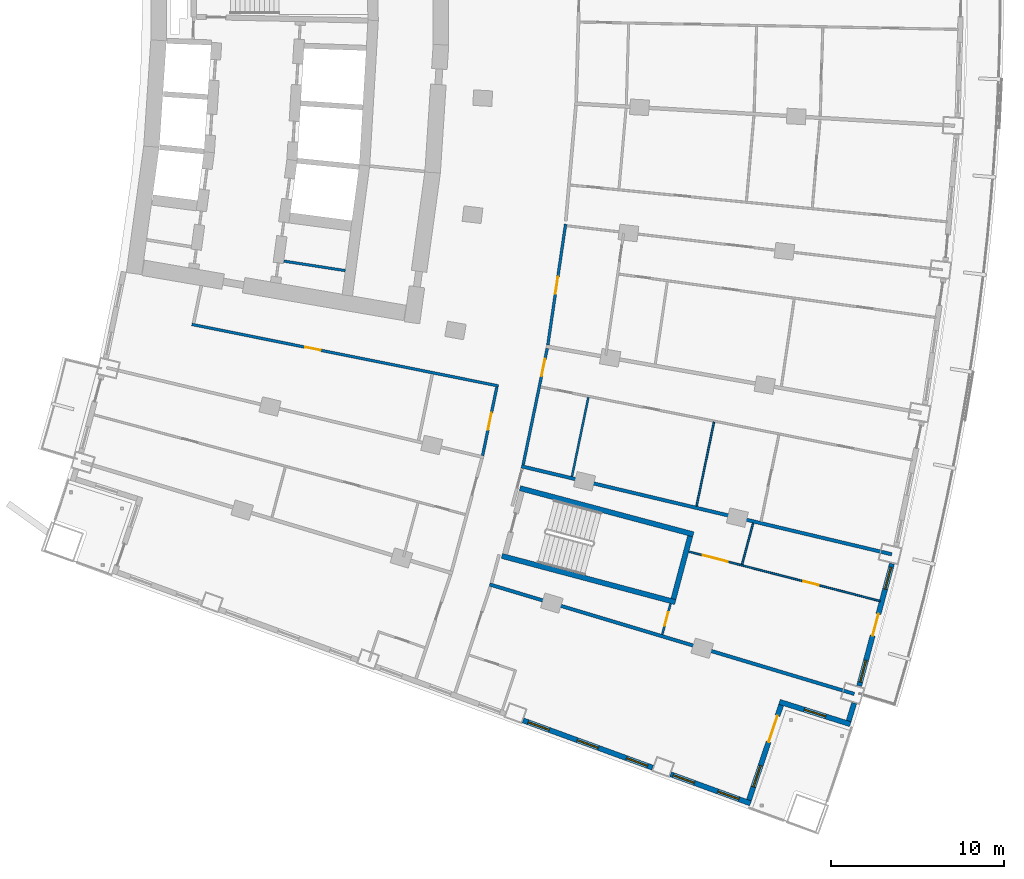
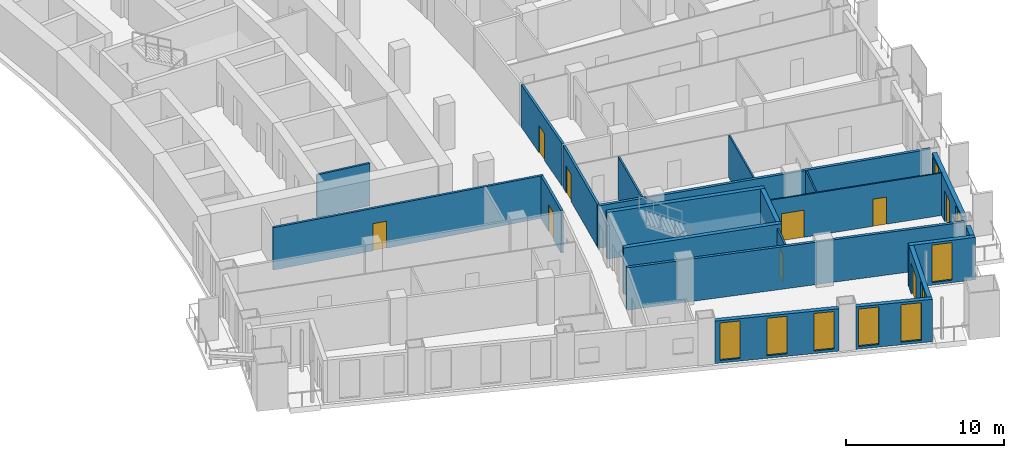
# One storey, part 14 of 25: 21 walls, 9 doors, 9 windows, 18 openings.
"""IFC4 building model written with IfcOpenShell, lengths in metres."""

from ifc_helpers import new_model, si_unit, direction, frame, frame_2d, origin, place, context, subcontext, project, spatial, rectangle, extrude, material, layer, layer_set, type_object, element, fill, save


model = new_model("IFC4")

# Units and contexts
model_context = context("Model", 3, precision=1e-05, world=origin(), true_north=direction((0.0, 1.0)))
body_context = subcontext(model_context, "Body", "Model", "MODEL_VIEW")
ifc_project = project(units=[si_unit("LENGTHUNIT", "METRE"), si_unit("AREAUNIT", "SQUARE_METRE"), si_unit("VOLUMEUNIT", "CUBIC_METRE"), si_unit("PLANEANGLEUNIT", "RADIAN"), si_unit("MASSUNIT", "GRAM", prefix="KILO")], contexts=[model_context])

# Site, building, storey
site_placement = place(None, origin())
site = spatial("IfcSite", under=ifc_project, at=site_placement, CompositionType="ELEMENT")
building_placement = place(site_placement, origin())
building = spatial("IfcBuilding", under=site, at=building_placement, Name="Alderwake Tower", CompositionType="ELEMENT")
storey_placement = place(building_placement, frame((0.0, 0.0, 46.39990234375)))
storey = spatial("IfcBuildingStorey", under=building, at=storey_placement, Name="L10", CompositionType="ELEMENT", Elevation=46.39990234375)

# Walls
ifc_material_1 = material(Name="Gypsum shaft wall system, rated")
ifc_layer_1 = layer(ifc_material_1, 0.14990234375)
ifc_layer_set_1 = layer_set([ifc_layer_1], Name="Core room partition 150")
wall_type_1 = type_object("IfcWallType", Name="Core room partition 150", PredefinedType="PARTITIONING", material=ifc_layer_set_1)
wall_1_placement = place(storey_placement, frame((24.117431640625, 44.842041015625, 0.0), z_axis=(0.0, 0.0, 1.0), x_axis=(0.988173903359, -0.153337329832, 0.0)))
element("IfcWall", 1, at=wall_1_placement, inside=storey, type_object=wall_type_1, Name="CW/L10/PR-161_+86", PredefinedType="PARTITIONING", context=body_context, shape_type="SweptSolid", body=[
    extrude(rectangle(XDim=3.5966796875, YDim=0.14990234375, at=frame_2d((1.79833984375, 0.0))), origin(), (0.0, 0.0, 1.0), 3.280029296875),
])
ifc_material_2 = material(Name="Concrete C70/85", Category="concrete")
ifc_layer_2 = layer(ifc_material_2, 0.300048828125)
ifc_layer_set_2 = layer_set([ifc_layer_2], Name="Core wall stair enclosure 300 C70-85")
wall_type_2 = type_object("IfcWallType", Name="Core wall stair enclosure 300 C70-85", PredefinedType="SHEAR", material=ifc_layer_set_2)
for number, where, z_axis, x_axis, name in (
    (2, (37.75390625, 31.731201171875, 0.0), (0.0, 0.0, 1.0), (0.966309214305, -0.257383958996, 0.0), "Core wall CW.086"),
    (3, (36.71142578125, 27.817626953125, 0.0), (0.0, 0.0, 1.0), (0.966309214305, -0.257383958996, 0.0), "Core wall CW.088"),
):
    element("IfcWall", number, at=place(storey_placement, frame(where, z_axis=z_axis, x_axis=x_axis)), inside=storey, type_object=wall_type_2, Name=name, PredefinedType="SHEAR", context=body_context, shape_type="SweptSolid", body=[
        extrude(rectangle(XDim=10.360107421875, YDim=0.300048828125, at=frame_2d((5.18017578125, 0.0))), origin(), (0.0, 0.0, 1.0), 3.60009765625),
    ])
wall_2_placement = place(storey_placement, frame((46.6162109375, 25.334716796875, 0.0), z_axis=(0.0, 0.0, 1.0), x_axis=(0.257366821694, 0.966313778796, 0.0)))
element("IfcWall", 4, at=wall_2_placement, inside=storey, type_object=wall_type_2, Name="Core wall CW.085", PredefinedType="SHEAR", context=body_context, shape_type="SweptSolid", body=[
    extrude(rectangle(XDim=3.749755859375, YDim=0.300048828125, at=frame_2d((1.875, 0.0))), origin(), (0.0, 0.0, 1.0), 3.60009765625),
])

# Wall, opening, door
ifc_material_3 = material(Name="Gypsum board on metal studs, rated")
ifc_layer_3 = layer(ifc_material_3, 0.159912109375)
ifc_layer_set_3 = layer_set([ifc_layer_3], Name="Corridor wall 160")
wall_type_3 = type_object("IfcWallType", Name="Corridor wall 160", PredefinedType="PARTITIONING", material=ifc_layer_set_3)
wall_3_placement = place(storey_placement, frame((36.513427734375, 37.63427734375, 0.0), z_axis=(0.0, 0.0, 1.0), x_axis=(-0.980470254867, 0.1966674333, 0.0)))
wall_3 = element("IfcWall", 5, at=wall_3_placement, inside=storey, type_object=wall_type_3, Name="WL/L10/W15", PredefinedType="PARTITIONING", context=body_context, shape_type="SweptSolid", body=[
    extrude(rectangle(XDim=18.053466796875, YDim=0.159912109375, at=frame_2d((9.02685546875, 0.0))), origin(), (0.0, 0.0, 1.0), 3.280029296875),
])
opening_1_placement = place(wall_3_placement, frame((10.476806640625, 0.0, 0.0)))
opening_1 = element("IfcOpeningElement", 6, at=opening_1_placement, cuts=wall_3, Name="Opening R02-SBS1", PredefinedType="OPENING", context=body_context, shape_type="SweptSolid", body=[
    extrude(rectangle(XDim=0.89990234375, YDim=2.10009765625, at=frame_2d((0.449951171875, 1.050048828125))), frame((0.0, 0.08984375, 0.0), z_axis=(0.0, -1.0, 0.0), x_axis=(1.0, 0.0, 0.0)), (0.0, 0.0, 1.0), 0.179931640625),
])
ifc_material_4 = material(Name="Painted timber leaf", Category="wood")
door_type_1 = type_object("IfcDoorType", Name="Room door 900", OperationType="SINGLE_SWING_LEFT", PredefinedType="DOOR", material=ifc_material_4)
door_1_placement = place(opening_1_placement, origin())
door_1 = element("IfcDoor", 7, at=door_1_placement, inside=storey, type_object=door_type_1, Name="DR/L10/SBS1", OperationType="SINGLE_SWING_LEFT", OverallHeight=2.10009765625, OverallWidth=0.89990234375, PredefinedType="DOOR", context=body_context, shape_type="SweptSolid", body=[
    extrude(rectangle(XDim=0.89990234375, YDim=2.10009765625, at=frame_2d((0.449951171875, 1.050048828125))), frame((0.0, 0.02490234375, 0.0), z_axis=(0.0, -1.0, 0.0), x_axis=(1.0, 0.0, 0.0)), (0.0, 0.0, 1.0), 0.050048828125),
])
fill(opening_1, door_1)

wall_4_placement = place(storey_placement, frame((35.59619140625, 33.609375, 0.0), z_axis=(0.0, 0.0, 1.0), x_axis=(0.203245920818, 0.979127721838, 0.0)))
wall_4 = element("IfcWall", 8, at=wall_4_placement, inside=storey, type_object=wall_type_3, Name="WL/L10/W27", PredefinedType="PARTITIONING", context=body_context, shape_type="SweptSolid", body=[
    extrude(rectangle(XDim=4.046875, YDim=0.159912109375, at=frame_2d((2.0234375, 0.0))), origin(), (0.0, 0.0, 1.0), 3.280029296875),
])
opening_2_placement = place(wall_4_placement, frame((1.5234375, 0.0, 0.0)))
opening_2 = element("IfcOpeningElement", 9, at=opening_2_placement, cuts=wall_4, Name="Opening R02-SBS2", PredefinedType="OPENING", context=body_context, shape_type="SweptSolid", body=[
    extrude(rectangle(XDim=1.0, YDim=2.10009765625, at=frame_2d((0.5, 1.050048828125))), frame((0.0, 0.08984375, 0.0), z_axis=(0.0, -1.0, 0.0), x_axis=(1.0, 0.0, 0.0)), (0.0, 0.0, 1.0), 0.179931640625),
])
ifc_material_5 = material(Name="Steel-framed fire door leaf", Category="steel")
door_type_2 = type_object("IfcDoorType", Name="Plant room door 1000 fire-rated", OperationType="SINGLE_SWING_LEFT", PredefinedType="DOOR", material=ifc_material_5)
door_2_placement = place(opening_2_placement, origin())
door_2 = element("IfcDoor", 10, at=door_2_placement, inside=storey, type_object=door_type_2, Name="DR/L10/SBS2", OperationType="SINGLE_SWING_LEFT", OverallHeight=2.10009765625, OverallWidth=1.0, PredefinedType="DOOR", context=body_context, shape_type="SweptSolid", body=[
    extrude(rectangle(XDim=1.0, YDim=2.10009765625, at=frame_2d((0.5, 1.050048828125))), frame((0.0, 0.02490234375, 0.0), z_axis=(0.0, -1.0, 0.0), x_axis=(1.0, 0.0, 0.0)), (0.0, 0.0, 1.0), 0.050048828125),
])
fill(opening_2, door_2)

wall_5_placement = place(storey_placement, frame((39.32763671875, 39.799072265625, 0.0), z_axis=(0.0, 0.0, 1.0), x_axis=(-0.202463357072, -0.97928983914, 0.0)))
wall_5 = element("IfcWall", 11, at=wall_5_placement, inside=storey, type_object=wall_type_3, Name="WL/L10/W31", PredefinedType="PARTITIONING", context=body_context, shape_type="SweptSolid", body=[
    extrude(rectangle(XDim=6.867431640625, YDim=0.159912109375, at=frame_2d((3.43359375, 0.0))), origin(), (0.0, 0.0, 1.0), 3.280029296875),
])
opening_3_placement = place(wall_5_placement, frame((0.62744140625, 0.0, 0.0)))
opening_3 = element("IfcOpeningElement", 12, at=opening_3_placement, cuts=wall_5, Name="Opening R02-U05.3", PredefinedType="OPENING", context=body_context, shape_type="SweptSolid", body=[
    extrude(rectangle(XDim=1.0, YDim=2.10009765625, at=frame_2d((0.5, 1.050048828125))), frame((0.0, 0.08984375, 0.0), z_axis=(0.0, -1.0, 0.0), x_axis=(1.0, 0.0, 0.0)), (0.0, 0.0, 1.0), 0.179931640625),
])
ifc_material_6 = material(Name="Solid timber leaf in steel frame", Category="steel")
door_type_3 = type_object("IfcDoorType", Name="Flat entrance door 1000 fire-rated", OperationType="SINGLE_SWING_LEFT", PredefinedType="DOOR", material=ifc_material_6)
door_3_placement = place(opening_3_placement, origin())
door_3 = element("IfcDoor", 13, at=door_3_placement, inside=storey, type_object=door_type_3, Name="DR/L10/U05.3", OperationType="SINGLE_SWING_LEFT", OverallHeight=2.10009765625, OverallWidth=1.0, PredefinedType="DOOR", context=body_context, shape_type="SweptSolid", body=[
    extrude(rectangle(XDim=1.0, YDim=2.10009765625, at=frame_2d((0.5, 1.050048828125))), frame((0.0, 0.02490234375, 0.0), z_axis=(0.0, -1.0, 0.0), x_axis=(1.0, 0.0, 0.0)), (0.0, 0.0, 1.0), 0.050048828125),
])
fill(opening_3, door_3)

wall_6_placement = place(storey_placement, frame((40.388671875, 46.97216796875, 0.0), z_axis=(0.0, 0.0, 1.0), x_axis=(-0.145525888156, -0.989354444007, 0.0)))
wall_6 = element("IfcWall", 14, at=wall_6_placement, inside=storey, type_object=wall_type_3, Name="WL/L10/W33", PredefinedType="PARTITIONING", context=body_context, shape_type="SweptSolid", body=[
    extrude(rectangle(XDim=7.051025390625, YDim=0.159912109375, at=frame_2d((3.525390625, 0.0))), origin(), (0.0, 0.0, 1.0), 3.280029296875),
])
opening_4_placement = place(wall_6_placement, frame((3.066162109375, 0.0, 0.0)))
opening_4 = element("IfcOpeningElement", 15, at=opening_4_placement, cuts=wall_6, Name="Opening R02-U06.2", PredefinedType="OPENING", context=body_context, shape_type="SweptSolid", body=[
    extrude(rectangle(XDim=1.0, YDim=2.10009765625, at=frame_2d((0.5, 1.050048828125))), frame((0.0, 0.08984375, 0.0), z_axis=(0.0, -1.0, 0.0), x_axis=(1.0, 0.0, 0.0)), (0.0, 0.0, 1.0), 0.179931640625),
])
door_4_placement = place(opening_4_placement, origin())
door_4 = element("IfcDoor", 16, at=door_4_placement, inside=storey, type_object=door_type_3, Name="DR/L10/U06.2", OperationType="SINGLE_SWING_LEFT", OverallHeight=2.10009765625, OverallWidth=1.0, PredefinedType="DOOR", context=body_context, shape_type="SweptSolid", body=[
    extrude(rectangle(XDim=1.0, YDim=2.10009765625, at=frame_2d((0.5, 1.050048828125))), frame((0.0, 0.02490234375, 0.0), z_axis=(0.0, -1.0, 0.0), x_axis=(1.0, 0.0, 0.0)), (0.0, 0.0, 1.0), 0.050048828125),
])
fill(opening_4, door_4)

# Wall
ifc_material_7 = material(Name="Precast concrete C50/60 spandrel panel", Category="concrete")
ifc_layer_4 = layer(ifc_material_7, 0.300048828125)
ifc_layer_set_4 = layer_set([ifc_layer_4], Name="External wall EW1 Precast concrete C50/60 spandrel")
wall_type_4 = type_object("IfcWallType", Name="External wall EW1 Precast concrete C50/60 spandrel", PredefinedType="SOLIDWALL", material=ifc_layer_set_4)
wall_7_placement = place(storey_placement, frame((56.73193359375, 18.2900390625, 0.0), z_axis=(0.0, 0.0, 1.0), x_axis=(0.294497808849, 0.955652154596, 0.0)))
element("IfcWall", 17, at=wall_7_placement, inside=storey, type_object=wall_type_4, Name="External wall 11", PredefinedType="SOLIDWALL", context=body_context, shape_type="SweptSolid", body=[
    extrude(rectangle(XDim=1.082763671875, YDim=0.300048828125, at=frame_2d((0.54150390625, 0.0))), origin(), (0.0, 0.0, 1.0), 3.280029296875),
])

# Wall, openings, door, windows
wall_8_placement = place(storey_placement, frame((57.336181640625, 20.315185546875, 0.0), z_axis=(0.0, 0.0, 1.0), x_axis=(0.259482096381, 0.965747918278, 0.0)))
wall_8 = element("IfcWall", 18, at=wall_8_placement, inside=storey, type_object=wall_type_4, Name="External wall 12", PredefinedType="SOLIDWALL", context=body_context, shape_type="SweptSolid", body=[
    extrude(rectangle(XDim=7.305908203125, YDim=0.300048828125, at=frame_2d((3.65283203125, 0.0))), origin(), (0.0, 0.0, 1.0), 3.280029296875),
])
opening_5_placement = place(wall_8_placement, frame((0.222900390625, 0.0, 0.199951171875)))
opening_5 = element("IfcOpeningElement", 19, at=opening_5_placement, cuts=wall_8, Name="Opening W1", PredefinedType="OPENING", context=body_context, shape_type="SweptSolid", body=[
    extrude(rectangle(XDim=1.300048828125, YDim=2.89990234375, at=frame_2d((0.64990234375, 1.449951171875))), frame((0.0, 0.159912109375, 0.0), z_axis=(0.0, -1.0, 0.0), x_axis=(1.0, 0.0, 0.0)), (0.0, 0.0, 1.0), 0.320068359375),
])
opening_6_placement = place(wall_8_placement, frame((3.0029296875, 0.0, 0.0)))
opening_6 = element("IfcOpeningElement", 20, at=opening_6_placement, cuts=wall_8, Name="Opening D03", PredefinedType="OPENING", context=body_context, shape_type="SweptSolid", body=[
    extrude(rectangle(XDim=1.300048828125, YDim=2.39990234375, at=frame_2d((0.64990234375, 1.199951171875))), frame((0.0, 0.159912109375, 0.0), z_axis=(0.0, -1.0, 0.0), x_axis=(1.0, 0.0, 0.0)), (0.0, 0.0, 1.0), 0.320068359375),
])
opening_7_placement = place(wall_8_placement, frame((5.783203125, 0.0, 0.199951171875)))
opening_7 = element("IfcOpeningElement", 21, at=opening_7_placement, cuts=wall_8, Name="Opening W1", PredefinedType="OPENING", context=body_context, shape_type="SweptSolid", body=[
    extrude(rectangle(XDim=1.300048828125, YDim=2.89990234375, at=frame_2d((0.64990234375, 1.449951171875))), frame((0.0, 0.159912109375, 0.0), z_axis=(0.0, -1.0, 0.0), x_axis=(1.0, 0.0, 0.0)), (0.0, 0.0, 1.0), 0.320068359375),
])
ifc_material_8 = material(Name="Bronze tinted glass in aluminium frame", Category="aluminium")
door_type_4 = type_object("IfcDoorType", Name="Balcony door BD sliding", OperationType="SLIDING_TO_LEFT", PredefinedType="DOOR", material=ifc_material_8)
door_5_placement = place(opening_6_placement, origin())
door_5 = element("IfcDoor", 22, at=door_5_placement, inside=storey, type_object=door_type_4, Name="Door D03", OperationType="SLIDING_TO_LEFT", OverallHeight=2.39990234375, OverallWidth=1.300048828125, PredefinedType="DOOR", context=body_context, shape_type="SweptSolid", body=[
    extrude(rectangle(XDim=1.300048828125, YDim=2.39990234375, at=frame_2d((0.64990234375, 1.199951171875))), frame((0.0, 0.02490234375, 0.0), z_axis=(0.0, -1.0, 0.0), x_axis=(1.0, 0.0, 0.0)), (0.0, 0.0, 1.0), 0.050048828125),
])
fill(opening_6, door_5)
ifc_material_9 = material(Name="Bronze tinted glass in aluminium frame", Category="aluminium")
window_type = type_object("IfcWindowType", Name="Window W1 tall fixed and vent", PartitioningType="DOUBLE_PANEL_VERTICAL", PredefinedType="WINDOW", material=ifc_material_9)
window_1_placement = place(opening_5_placement, origin())
window_1 = element("IfcWindow", 23, at=window_1_placement, inside=storey, type_object=window_type, Name="Window W1 tall fixed and vent", OverallHeight=2.89990234375, OverallWidth=1.300048828125, PartitioningType="DOUBLE_PANEL_VERTICAL", PredefinedType="WINDOW", context=body_context, shape_type="SweptSolid", body=[
    extrude(rectangle(XDim=1.300048828125, YDim=2.89990234375, at=frame_2d((0.64990234375, 1.449951171875))), frame((0.0, 0.030029296875, 0.0), z_axis=(0.0, -1.0, 0.0), x_axis=(1.0, 0.0, 0.0)), (0.0, 0.0, 1.0), 0.06005859375),
])
fill(opening_5, window_1)
window_2_placement = place(opening_7_placement, origin())
window_2 = element("IfcWindow", 24, at=window_2_placement, inside=storey, type_object=window_type, Name="Window W1 tall fixed and vent", OverallHeight=2.89990234375, OverallWidth=1.300048828125, PartitioningType="DOUBLE_PANEL_VERTICAL", PredefinedType="WINDOW", context=body_context, shape_type="SweptSolid", body=[
    extrude(rectangle(XDim=1.300048828125, YDim=2.89990234375, at=frame_2d((0.64990234375, 1.449951171875))), frame((0.0, 0.030029296875, 0.0), z_axis=(0.0, -1.0, 0.0), x_axis=(1.0, 0.0, 0.0)), (0.0, 0.0, 1.0), 0.06005859375),
])
fill(opening_7, window_2)

# Wall, openings, windows
ifc_material_10 = material(Name="Bronze metal cladding on lightweight framing")
ifc_layer_5 = layer(ifc_material_10, 0.300048828125)
ifc_layer_set_5 = layer_set([ifc_layer_5], Name="External wall EW2 bronze metal cladding")
wall_type_5 = type_object("IfcWallType", Name="External wall EW2 bronze metal cladding", PredefinedType="SOLIDWALL", material=ifc_layer_set_5)
wall_9_placement = place(storey_placement, frame((37.93359375, 18.323486328125, 0.0), z_axis=(0.0, 0.0, 1.0), x_axis=(0.939370174945, -0.34290475999, 0.0)))
wall_9 = element("IfcWall", 25, at=wall_9_placement, inside=storey, type_object=wall_type_5, Name="External wall 7", PredefinedType="SOLIDWALL", context=body_context, shape_type="SweptSolid", body=[
    extrude(rectangle(XDim=7.962646484375, YDim=0.300048828125, at=frame_2d((3.9814453125, 0.0))), origin(), (0.0, 0.0, 1.0), 3.280029296875),
])
opening_8_placement = place(wall_9_placement, frame((0.30908203125, 0.0, 0.199951171875)))
opening_8 = element("IfcOpeningElement", 26, at=opening_8_placement, cuts=wall_9, Name="Opening W1", PredefinedType="OPENING", context=body_context, shape_type="SweptSolid", body=[
    extrude(rectangle(XDim=1.300048828125, YDim=2.89990234375, at=frame_2d((0.64990234375, 1.449951171875))), frame((0.0, 0.159912109375, 0.0), z_axis=(0.0, -1.0, 0.0), x_axis=(1.0, 0.0, 0.0)), (0.0, 0.0, 1.0), 0.320068359375),
])
opening_9_placement = place(wall_9_placement, frame((3.331298828125, 0.0, 0.199951171875)))
opening_9 = element("IfcOpeningElement", 27, at=opening_9_placement, cuts=wall_9, Name="Opening W1", PredefinedType="OPENING", context=body_context, shape_type="SweptSolid", body=[
    extrude(rectangle(XDim=1.300048828125, YDim=2.89990234375, at=frame_2d((0.64990234375, 1.449951171875))), frame((0.0, 0.159912109375, 0.0), z_axis=(0.0, -1.0, 0.0), x_axis=(1.0, 0.0, 0.0)), (0.0, 0.0, 1.0), 0.320068359375),
])
opening_10_placement = place(wall_9_placement, frame((6.353515625, 0.0, 0.199951171875)))
opening_10 = element("IfcOpeningElement", 28, at=opening_10_placement, cuts=wall_9, Name="Opening W1", PredefinedType="OPENING", context=body_context, shape_type="SweptSolid", body=[
    extrude(rectangle(XDim=1.300048828125, YDim=2.89990234375, at=frame_2d((0.64990234375, 1.449951171875))), frame((0.0, 0.159912109375, 0.0), z_axis=(0.0, -1.0, 0.0), x_axis=(1.0, 0.0, 0.0)), (0.0, 0.0, 1.0), 0.320068359375),
])
window_3_placement = place(opening_8_placement, origin())
window_3 = element("IfcWindow", 29, at=window_3_placement, inside=storey, type_object=window_type, Name="Window W1 tall fixed and vent", OverallHeight=2.89990234375, OverallWidth=1.300048828125, PartitioningType="DOUBLE_PANEL_VERTICAL", PredefinedType="WINDOW", context=body_context, shape_type="SweptSolid", body=[
    extrude(rectangle(XDim=1.300048828125, YDim=2.89990234375, at=frame_2d((0.64990234375, 1.449951171875))), frame((0.0, 0.030029296875, 0.0), z_axis=(0.0, -1.0, 0.0), x_axis=(1.0, 0.0, 0.0)), (0.0, 0.0, 1.0), 0.06005859375),
])
fill(opening_8, window_3)
window_4_placement = place(opening_9_placement, origin())
window_4 = element("IfcWindow", 30, at=window_4_placement, inside=storey, type_object=window_type, Name="Window W1 tall fixed and vent", OverallHeight=2.89990234375, OverallWidth=1.300048828125, PartitioningType="DOUBLE_PANEL_VERTICAL", PredefinedType="WINDOW", context=body_context, shape_type="SweptSolid", body=[
    extrude(rectangle(XDim=1.300048828125, YDim=2.89990234375, at=frame_2d((0.64990234375, 1.449951171875))), frame((0.0, 0.030029296875, 0.0), z_axis=(0.0, -1.0, 0.0), x_axis=(1.0, 0.0, 0.0)), (0.0, 0.0, 1.0), 0.06005859375),
])
fill(opening_9, window_4)
window_5_placement = place(opening_10_placement, origin())
window_5 = element("IfcWindow", 31, at=window_5_placement, inside=storey, type_object=window_type, Name="Window W1 tall fixed and vent", OverallHeight=2.89990234375, OverallWidth=1.300048828125, PartitioningType="DOUBLE_PANEL_VERTICAL", PredefinedType="WINDOW", context=body_context, shape_type="SweptSolid", body=[
    extrude(rectangle(XDim=1.300048828125, YDim=2.89990234375, at=frame_2d((0.64990234375, 1.449951171875))), frame((0.0, 0.030029296875, 0.0), z_axis=(0.0, -1.0, 0.0), x_axis=(1.0, 0.0, 0.0)), (0.0, 0.0, 1.0), 0.06005859375),
])
fill(opening_10, window_5)

wall_10_placement = place(storey_placement, frame((46.45068359375, 15.214599609375, 0.0), z_axis=(0.0, 0.0, 1.0), x_axis=(0.939369008741, -0.34290795473, 0.0)))
wall_10 = element("IfcWall", 32, at=wall_10_placement, inside=storey, type_object=wall_type_5, Name="External wall 8", PredefinedType="SOLIDWALL", context=body_context, shape_type="SweptSolid", body=[
    extrude(rectangle(XDim=4.91259765625, YDim=0.300048828125, at=frame_2d((2.456298828125, 0.0))), origin(), (0.0, 0.0, 1.0), 3.280029296875),
])
opening_11_placement = place(wall_10_placement, frame((0.1640625, 0.0, 0.199951171875)))
opening_11 = element("IfcOpeningElement", 33, at=opening_11_placement, cuts=wall_10, Name="Opening W1", PredefinedType="OPENING", context=body_context, shape_type="SweptSolid", body=[
    extrude(rectangle(XDim=1.300048828125, YDim=2.89990234375, at=frame_2d((0.64990234375, 1.449951171875))), frame((0.0, 0.159912109375, 0.0), z_axis=(0.0, -1.0, 0.0), x_axis=(1.0, 0.0, 0.0)), (0.0, 0.0, 1.0), 0.320068359375),
])
opening_12_placement = place(wall_10_placement, frame((2.896484375, 0.0, 0.199951171875)))
opening_12 = element("IfcOpeningElement", 34, at=opening_12_placement, cuts=wall_10, Name="Opening W1", PredefinedType="OPENING", context=body_context, shape_type="SweptSolid", body=[
    extrude(rectangle(XDim=1.300048828125, YDim=2.89990234375, at=frame_2d((0.64990234375, 1.449951171875))), frame((0.0, 0.159912109375, 0.0), z_axis=(0.0, -1.0, 0.0), x_axis=(1.0, 0.0, 0.0)), (0.0, 0.0, 1.0), 0.320068359375),
])
window_6_placement = place(opening_11_placement, origin())
window_6 = element("IfcWindow", 35, at=window_6_placement, inside=storey, type_object=window_type, Name="Window W1 tall fixed and vent", OverallHeight=2.89990234375, OverallWidth=1.300048828125, PartitioningType="DOUBLE_PANEL_VERTICAL", PredefinedType="WINDOW", context=body_context, shape_type="SweptSolid", body=[
    extrude(rectangle(XDim=1.300048828125, YDim=2.89990234375, at=frame_2d((0.64990234375, 1.449951171875))), frame((0.0, 0.030029296875, 0.0), z_axis=(0.0, -1.0, 0.0), x_axis=(1.0, 0.0, 0.0)), (0.0, 0.0, 1.0), 0.06005859375),
])
fill(opening_11, window_6)
window_7_placement = place(opening_12_placement, origin())
window_7 = element("IfcWindow", 36, at=window_7_placement, inside=storey, type_object=window_type, Name="Window W1 tall fixed and vent", OverallHeight=2.89990234375, OverallWidth=1.300048828125, PartitioningType="DOUBLE_PANEL_VERTICAL", PredefinedType="WINDOW", context=body_context, shape_type="SweptSolid", body=[
    extrude(rectangle(XDim=1.300048828125, YDim=2.89990234375, at=frame_2d((0.64990234375, 1.449951171875))), frame((0.0, 0.030029296875, 0.0), z_axis=(0.0, -1.0, 0.0), x_axis=(1.0, 0.0, 0.0)), (0.0, 0.0, 1.0), 0.06005859375),
])
fill(opening_12, window_7)

# Wall, openings, door, window
wall_11_placement = place(storey_placement, frame((50.97265625, 13.723388671875, 0.0), z_axis=(0.0, 0.0, 1.0), x_axis=(0.320902786316, 0.947112137888, 0.0)))
wall_11 = element("IfcWall", 37, at=wall_11_placement, inside=storey, type_object=wall_type_5, Name="External wall 9", PredefinedType="SOLIDWALL", context=body_context, shape_type="SweptSolid", body=[
    extrude(rectangle(XDim=5.7919921875, YDim=0.300048828125, at=frame_2d((2.89599609375, 0.0))), origin(), (0.0, 0.0, 1.0), 3.280029296875),
])
opening_13_placement = place(wall_11_placement, frame((0.7978515625, 0.0, 0.199951171875)))
opening_13 = element("IfcOpeningElement", 38, at=opening_13_placement, cuts=wall_11, Name="Opening W1", PredefinedType="OPENING", context=body_context, shape_type="SweptSolid", body=[
    extrude(rectangle(XDim=1.300048828125, YDim=2.89990234375, at=frame_2d((0.64990234375, 1.449951171875))), frame((0.0, 0.159912109375, 0.0), z_axis=(0.0, -1.0, 0.0), x_axis=(1.0, 0.0, 0.0)), (0.0, 0.0, 1.0), 0.320068359375),
])
opening_14_placement = place(wall_11_placement, frame((3.543701171875, 0.0, 0.0)))
opening_14 = element("IfcOpeningElement", 39, at=opening_14_placement, cuts=wall_11, Name="Opening D02", PredefinedType="OPENING", context=body_context, shape_type="SweptSolid", body=[
    extrude(rectangle(XDim=1.60009765625, YDim=2.39990234375, at=frame_2d((0.800048828125, 1.199951171875))), frame((0.0, 0.159912109375, 0.0), z_axis=(0.0, -1.0, 0.0), x_axis=(1.0, 0.0, 0.0)), (0.0, 0.0, 1.0), 0.320068359375),
])
ifc_material_11 = material(Name="Bronze tinted glass in aluminium frame", Category="aluminium")
door_type_5 = type_object("IfcDoorType", Name="Terrace door TD sliding", OperationType="SLIDING_TO_LEFT", PredefinedType="DOOR", material=ifc_material_11)
door_6_placement = place(opening_14_placement, origin())
door_6 = element("IfcDoor", 40, at=door_6_placement, inside=storey, type_object=door_type_5, Name="Door D02", OperationType="SLIDING_TO_LEFT", OverallHeight=2.39990234375, OverallWidth=1.60009765625, PredefinedType="DOOR", context=body_context, shape_type="SweptSolid", body=[
    extrude(rectangle(XDim=1.60009765625, YDim=2.39990234375, at=frame_2d((0.800048828125, 1.199951171875))), frame((0.0, 0.02490234375, 0.0), z_axis=(0.0, -1.0, 0.0), x_axis=(1.0, 0.0, 0.0)), (0.0, 0.0, 1.0), 0.050048828125),
])
fill(opening_14, door_6)
window_8_placement = place(opening_13_placement, origin())
window_8 = element("IfcWindow", 41, at=window_8_placement, inside=storey, type_object=window_type, Name="Window W1 tall fixed and vent", OverallHeight=2.89990234375, OverallWidth=1.300048828125, PartitioningType="DOUBLE_PANEL_VERTICAL", PredefinedType="WINDOW", context=body_context, shape_type="SweptSolid", body=[
    extrude(rectangle(XDim=1.300048828125, YDim=2.89990234375, at=frame_2d((0.64990234375, 1.449951171875))), frame((0.0, 0.030029296875, 0.0), z_axis=(0.0, -1.0, 0.0), x_axis=(1.0, 0.0, 0.0)), (0.0, 0.0, 1.0), 0.06005859375),
])
fill(opening_13, window_8)

# Wall, opening, window
wall_12_placement = place(storey_placement, frame((52.736328125, 19.396240234375, 0.0), z_axis=(0.0, 0.0, 1.0), x_axis=(0.953470039543, -0.301487783656, 0.0)))
wall_12 = element("IfcWall", 42, at=wall_12_placement, inside=storey, type_object=wall_type_5, Name="External wall 10", PredefinedType="SOLIDWALL", context=body_context, shape_type="SweptSolid", body=[
    extrude(rectangle(XDim=4.294189453125, YDim=0.300048828125, at=frame_2d((2.14697265625, 0.0))), origin(), (0.0, 0.0, 1.0), 3.280029296875),
])
opening_15_placement = place(wall_12_placement, frame((1.4970703125, 0.0, 0.199951171875)))
opening_15 = element("IfcOpeningElement", 43, at=opening_15_placement, cuts=wall_12, Name="Opening W1", PredefinedType="OPENING", context=body_context, shape_type="SweptSolid", body=[
    extrude(rectangle(XDim=1.300048828125, YDim=2.89990234375, at=frame_2d((0.64990234375, 1.449951171875))), frame((0.0, 0.159912109375, 0.0), z_axis=(0.0, -1.0, 0.0), x_axis=(1.0, 0.0, 0.0)), (0.0, 0.0, 1.0), 0.320068359375),
])
window_9_placement = place(opening_15_placement, origin())
window_9 = element("IfcWindow", 44, at=window_9_placement, inside=storey, type_object=window_type, Name="Window W1 tall fixed and vent", OverallHeight=2.89990234375, OverallWidth=1.300048828125, PartitioningType="DOUBLE_PANEL_VERTICAL", PredefinedType="WINDOW", context=body_context, shape_type="SweptSolid", body=[
    extrude(rectangle(XDim=1.300048828125, YDim=2.89990234375, at=frame_2d((0.64990234375, 1.449951171875))), frame((0.0, 0.030029296875, 0.0), z_axis=(0.0, -1.0, 0.0), x_axis=(1.0, 0.0, 0.0)), (0.0, 0.0, 1.0), 0.06005859375),
])
fill(opening_15, window_9)

# Walls
ifc_material_12 = material(Name="Dense block masonry wall", Category="masonry")
ifc_layer_6 = layer(ifc_material_12, 0.199951171875)
ifc_layer_set_6 = layer_set([ifc_layer_6], Name="Party wall 200")
wall_type_6 = type_object("IfcWallType", Name="Party wall 200", PredefinedType="SOLIDWALL", material=ifc_layer_set_6)
wall_13_placement = place(storey_placement, frame((36.00439453125, 26.1708984375, 0.0), z_axis=(0.0, 0.0, 1.0), x_axis=(0.957775218264, -0.287518053832, 0.0)))
element("IfcWall", 45, at=wall_13_placement, inside=storey, type_object=wall_type_6, Name="WL/L10/W03", PredefinedType="SOLIDWALL", context=body_context, shape_type="SweptSolid", body=[
    extrude(rectangle(XDim=21.980712890625, YDim=0.199951171875, at=frame_2d((10.990234375, 0.0))), origin(), (0.0, 0.0, 1.0), 3.280029296875),
])
wall_14_placement = place(storey_placement, frame((37.839111328125, 32.994384765625, 0.0), z_axis=(0.0, 0.0, 1.0), x_axis=(0.972899454542, -0.231228569498, 0.0)))
element("IfcWall", 46, at=wall_14_placement, inside=storey, type_object=wall_type_6, Name="WL/L10/W04", PredefinedType="SOLIDWALL", context=body_context, shape_type="SweptSolid", body=[
    extrude(rectangle(XDim=21.9794921875, YDim=0.199951171875, at=frame_2d((10.98974609375, 0.0))), origin(), (0.0, 0.0, 1.0), 3.280029296875),
])

# Wall, openings, doors
ifc_material_13 = material(Name="Gypsum board on metal studs")
ifc_layer_7 = layer(ifc_material_13, 0.10009765625)
ifc_layer_set_7 = layer_set([ifc_layer_7], Name="Unit partition 100")
wall_type_7 = type_object("IfcWallType", Name="Unit partition 100", PredefinedType="PARTITIONING", material=ifc_layer_set_7)
wall_15_placement = place(storey_placement, frame((58.548095703125, 25.2119140625, 0.0), z_axis=(0.0, 0.0, 1.0), x_axis=(-0.968174890879, 0.250274610522, 0.0)))
wall_15 = element("IfcWall", 47, at=wall_15_placement, inside=storey, type_object=wall_type_7, Name="WL/L10/W75", PredefinedType="PARTITIONING", context=body_context, shape_type="SweptSolid", body=[
    extrude(rectangle(XDim=11.412353515625, YDim=0.10009765625, at=frame_2d((5.7060546875, 0.0))), origin(), (0.0, 0.0, 1.0), 3.280029296875),
])
opening_16_placement = place(wall_15_placement, frame((9.080078125, 0.0, 0.0)))
opening_16 = element("IfcOpeningElement", 48, at=opening_16_placement, cuts=wall_15, Name="Opening R02-U01.2", PredefinedType="OPENING", context=body_context, shape_type="SweptSolid", body=[
    extrude(rectangle(XDim=1.5, YDim=2.10009765625, at=frame_2d((0.75, 1.050048828125))), frame((0.0, 0.06005859375, 0.0), z_axis=(0.0, -1.0, 0.0), x_axis=(1.0, 0.0, 0.0)), (0.0, 0.0, 1.0), 0.1201171875),
])
opening_17_placement = place(wall_15_placement, frame((3.67431640625, 0.0, 0.0)))
opening_17 = element("IfcOpeningElement", 49, at=opening_17_placement, cuts=wall_15, Name="Opening R02-U01.3", PredefinedType="OPENING", context=body_context, shape_type="SweptSolid", body=[
    extrude(rectangle(XDim=0.89990234375, YDim=2.10009765625, at=frame_2d((0.449951171875, 1.050048828125))), frame((0.0, 0.06005859375, 0.0), z_axis=(0.0, -1.0, 0.0), x_axis=(1.0, 0.0, 0.0)), (0.0, 0.0, 1.0), 0.1201171875),
])
ifc_material_14 = material(Name="Painted timber leaves", Category="wood")
door_type_6 = type_object("IfcDoorType", Name="Double leaf door 1500", OperationType="DOUBLE_DOOR_SINGLE_SWING", PredefinedType="DOOR", material=ifc_material_14)
door_7_placement = place(opening_16_placement, origin())
door_7 = element("IfcDoor", 50, at=door_7_placement, inside=storey, type_object=door_type_6, Name="DR/L10/U01.2", OperationType="DOUBLE_DOOR_SINGLE_SWING", OverallHeight=2.10009765625, OverallWidth=1.5, PredefinedType="DOOR", context=body_context, shape_type="SweptSolid", body=[
    extrude(rectangle(XDim=1.5, YDim=2.10009765625, at=frame_2d((0.75, 1.050048828125))), frame((0.0, 0.02490234375, 0.0), z_axis=(0.0, -1.0, 0.0), x_axis=(1.0, 0.0, 0.0)), (0.0, 0.0, 1.0), 0.050048828125),
])
fill(opening_16, door_7)
door_8_placement = place(opening_17_placement, origin())
door_8 = element("IfcDoor", 51, at=door_8_placement, inside=storey, type_object=door_type_1, Name="DR/L10/U01.3", OperationType="SINGLE_SWING_LEFT", OverallHeight=2.10009765625, OverallWidth=0.89990234375, PredefinedType="DOOR", context=body_context, shape_type="SweptSolid", body=[
    extrude(rectangle(XDim=0.89990234375, YDim=2.10009765625, at=frame_2d((0.449951171875, 1.050048828125))), frame((0.0, 0.02490234375, 0.0), z_axis=(0.0, -1.0, 0.0), x_axis=(1.0, 0.0, 0.0)), (0.0, 0.0, 1.0), 0.050048828125),
])
fill(opening_17, door_8)

# Walls
wall_16_placement = place(storey_placement, frame((47.951416015625, 30.695068359375, 0.0), z_axis=(0.0, 0.0, 1.0), x_axis=(0.202511194584, 0.979279947752, 0.0)))
element("IfcWall", 52, at=wall_16_placement, inside=storey, type_object=wall_type_7, Name="WL/L10/W77", PredefinedType="PARTITIONING", context=body_context, shape_type="SweptSolid", body=[
    extrude(rectangle(XDim=4.959716796875, YDim=0.10009765625, at=frame_2d((2.47998046875, 0.0))), origin(), (0.0, 0.0, 1.0), 3.280029296875),
])
wall_17_placement = place(storey_placement, frame((50.574951171875, 27.32421875, 0.0), z_axis=(0.0, 0.0, 1.0), x_axis=(0.259739710308, 0.965678664406, 0.0)))
element("IfcWall", 53, at=wall_17_placement, inside=storey, type_object=wall_type_7, Name="WL/L10/W78", PredefinedType="PARTITIONING", context=body_context, shape_type="SweptSolid", body=[
    extrude(rectangle(XDim=2.47216796875, YDim=0.10009765625, at=frame_2d((1.236083984375, 0.0))), origin(), (0.0, 0.0, 1.0), 3.280029296875),
])
ifc_material_15 = material(Name="Moisture resistant gypsum board on metal studs")
ifc_layer_8 = layer(ifc_material_15, 0.1201171875)
ifc_layer_set_8 = layer_set([ifc_layer_8], Name="Wet room partition 120")
wall_type_8 = type_object("IfcWallType", Name="Wet room partition 120", PredefinedType="PARTITIONING", material=ifc_layer_set_8)
wall_18_placement = place(storey_placement, frame((40.75732421875, 32.402099609375, 0.0), z_axis=(0.0, 0.0, 1.0), x_axis=(0.202555554597, 0.97927077323, 0.0)))
element("IfcWall", 54, at=wall_18_placement, inside=storey, type_object=wall_type_8, Name="WL/L10/W51", PredefinedType="PARTITIONING", context=body_context, shape_type="SweptSolid", body=[
    extrude(rectangle(XDim=4.677734375, YDim=0.1201171875, at=frame_2d((2.3388671875, 0.0))), origin(), (0.0, 0.0, 1.0), 3.280029296875),
])

# Wall, opening, door
wall_19_placement = place(storey_placement, frame((45.970947265625, 23.28369140625, 0.0), z_axis=(0.0, 0.0, 1.0), x_axis=(0.258764710752, 0.965940383497, 0.0)))
wall_19 = element("IfcWall", 55, at=wall_19_placement, inside=storey, type_object=wall_type_8, Name="WL/L10/W62", PredefinedType="PARTITIONING", context=body_context, shape_type="SweptSolid", body=[
    extrude(rectangle(XDim=1.847412109375, YDim=0.1201171875, at=frame_2d((0.923828125, 0.0))), origin(), (0.0, 0.0, 1.0), 3.280029296875),
])
opening_18_placement = place(wall_19_placement, frame((0.523681640625, 0.0, 0.0)))
opening_18 = element("IfcOpeningElement", 56, at=opening_18_placement, cuts=wall_19, Name="Opening R02-U01.4", PredefinedType="OPENING", context=body_context, shape_type="SweptSolid", body=[
    extrude(rectangle(XDim=0.800048828125, YDim=2.10009765625, at=frame_2d((0.39990234375, 1.050048828125))), frame((0.0, 0.070068359375, 0.0), z_axis=(0.0, -1.0, 0.0), x_axis=(1.0, 0.0, 0.0)), (0.0, 0.0, 1.0), 0.14013671875),
])
ifc_material_16 = material(Name="Painted timber leaf", Category="wood")
door_type_7 = type_object("IfcDoorType", Name="Bathroom door 800", OperationType="SINGLE_SWING_LEFT", PredefinedType="DOOR", material=ifc_material_16)
door_9_placement = place(opening_18_placement, origin())
door_9 = element("IfcDoor", 57, at=door_9_placement, inside=storey, type_object=door_type_7, Name="DR/L10/U01.4", OperationType="SINGLE_SWING_LEFT", OverallHeight=2.10009765625, OverallWidth=0.800048828125, PredefinedType="DOOR", context=body_context, shape_type="SweptSolid", body=[
    extrude(rectangle(XDim=0.800048828125, YDim=2.10009765625, at=frame_2d((0.39990234375, 1.050048828125))), frame((0.0, 0.02490234375, 0.0), z_axis=(0.0, -1.0, 0.0), x_axis=(1.0, 0.0, 0.0)), (0.0, 0.0, 1.0), 0.050048828125),
])
fill(opening_18, door_9)

save(model, "model.ifc")
